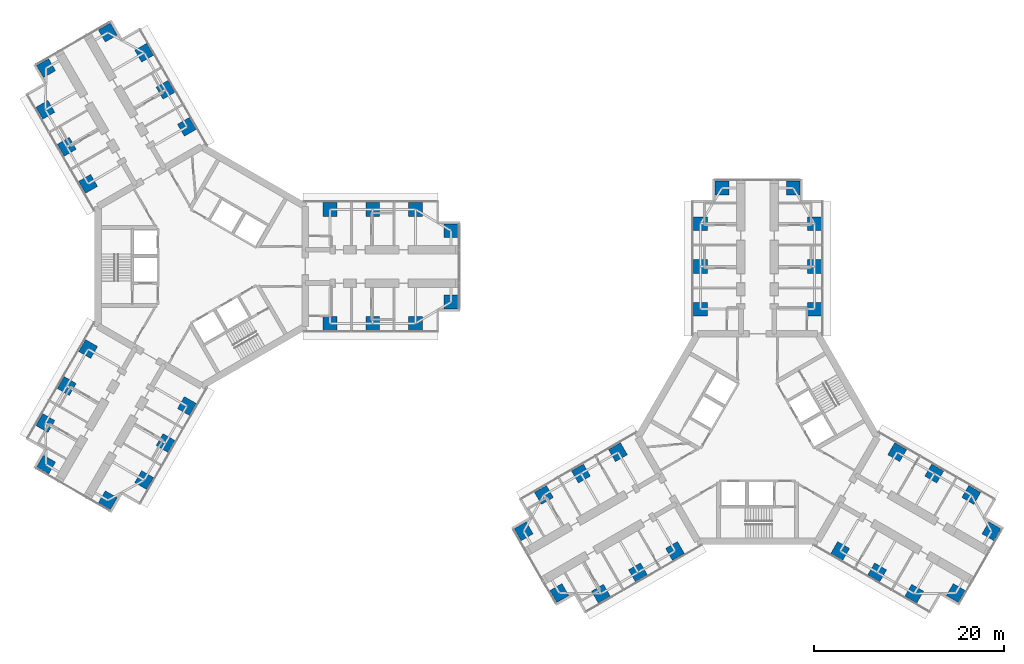
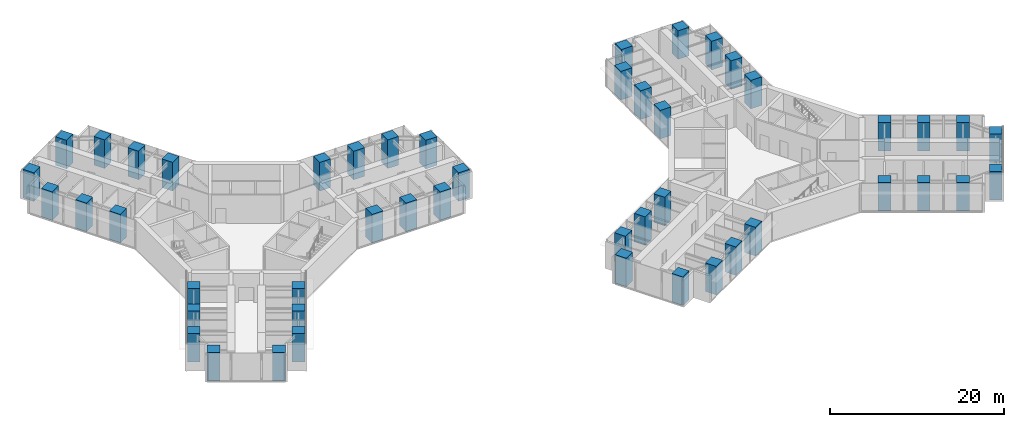
# One storey, part 1 of 24: 48 columns.
"""IFC4 building model written with IfcOpenShell, lengths in metres."""

from ifc_helpers import new_model, si_unit, direction, frame, origin, origin_2d, place, context, subcontext, project, spatial, rectangle, extrude, material, material_profile, profile_set, type_object, element, save


model = new_model("IFC4")

# Units and contexts
model_context = context("Model", 3, precision=1e-05, world=origin(), true_north=direction((0.0, 1.0)))
body_context = subcontext(model_context, "Body", "Model", "MODEL_VIEW")
ifc_project = project(units=[si_unit("LENGTHUNIT", "METRE"), si_unit("AREAUNIT", "SQUARE_METRE"), si_unit("VOLUMEUNIT", "CUBIC_METRE"), si_unit("PLANEANGLEUNIT", "RADIAN"), si_unit("MASSUNIT", "GRAM", prefix="KILO")], contexts=[model_context])

# Site, building, storey
site_placement = place(None, origin())
site = spatial("IfcSite", under=ifc_project, at=site_placement, CompositionType="ELEMENT")
building_placement = place(site_placement, origin())
building = spatial("IfcBuilding", under=site, at=building_placement, Name="Upepo Twin Towers", CompositionType="ELEMENT")
storey_placement = place(building_placement, frame((0.0, 0.0, 64.5)))
storey = spatial("IfcBuildingStorey", under=building, at=storey_placement, Name="L15", CompositionType="ELEMENT", Elevation=64.5)

# Columns
ifc_material = material(Name="Concrete C60/75", Category="concrete")
ifc_material_profile = material_profile(ifc_material, rectangle(XDim=1.449951171875, YDim=1.449951171875, at=origin_2d()), Name="RC 1450x1450")
ifc_profile_set = profile_set([ifc_material_profile], Name="Concrete C60/75")
column_type = type_object("IfcColumnType", Name="Tower column RC 1450x1450", PredefinedType="COLUMN", material=ifc_profile_set)
for number, where, z_axis, x_axis, name in (
    (1, (13.5, 6.0, 0.0), (0.0, 0.0, 1.0), (1.0, 0.0, 0.0), "T1 column AL135"),
    (2, (13.5, -6.0, 0.0), (0.0, 0.0, 1.0), (1.0, 0.0, 0.0), "T1 column AR135"),
    (3, (18.0, 6.0, 0.0), (0.0, 0.0, 1.0), (1.0, 0.0, 0.0), "T1 column AL180"),
    (4, (18.0, -6.0, 0.0), (0.0, 0.0, 1.0), (1.0, 0.0, 0.0), "T1 column AR180"),
    (5, (22.5, 6.0, 0.0), (0.0, 0.0, 1.0), (1.0, 0.0, 0.0), "T1 column AL225"),
    (6, (22.5, -6.0, 0.0), (0.0, 0.0, 1.0), (1.0, 0.0, 0.0), "T1 column AR225"),
    (7, (26.25, 3.75, 0.0), (0.0, 0.0, 1.0), (1.0, 0.0, 0.0), "T1 column ALN"),
    (8, (26.25, -3.75, 0.0), (0.0, 0.0, 1.0), (1.0, 0.0, 0.0), "T1 column ARN"),
    (9, (-11.946044921875, 8.69140625, 0.0), (0.0, 0.0, 1.0), (0.866025403784, 0.5, 0.0), "T1 column BL135"),
    (10, (-1.553955078125, 14.69140625, 0.0), (0.0, 0.0, 1.0), (0.866025403784, 0.5, 0.0), "T1 column BR135"),
    (11, (-14.196044921875, 12.58837890625, 0.0), (0.0, 0.0, 1.0), (0.866025403784, 0.5, 0.0), "T1 column BL180"),
    (12, (-3.803955078125, 18.58837890625, 0.0), (0.0, 0.0, 1.0), (0.866025403784, 0.5, 0.0), "T1 column BR180"),
    (13, (-16.446044921875, 16.485595703125, 0.0), (0.0, 0.0, 1.0), (0.866025403784, 0.5, 0.0), "T1 column BL225"),
    (14, (-6.053955078125, 22.485595703125, 0.0), (0.0, 0.0, 1.0), (0.866025403784, 0.5, 0.0), "T1 column BR225"),
    (15, (-16.37255859375, 20.858154296875, 0.0), (0.0, 0.0, 1.0), (0.866025403784, 0.5, 0.0), "T1 column BLN"),
    (16, (-9.87744140625, 24.608154296875, 0.0), (0.0, 0.0, 1.0), (0.866025403784, 0.5, 0.0), "T1 column BRN"),
    (17, (-1.553955078125, -14.69140625, 0.0), (0.0, 0.0, 1.0), (0.5, 0.866025403784, 0.0), "T1 column CL135"),
    (18, (-11.946044921875, -8.69140625, 0.0), (0.0, 0.0, 1.0), (0.5, 0.866025403784, 0.0), "T1 column CR135"),
    (19, (-3.803955078125, -18.58837890625, 0.0), (0.0, 0.0, 1.0), (0.5, 0.866025403784, 0.0), "T1 column CL180"),
    (20, (-14.196044921875, -12.58837890625, 0.0), (0.0, 0.0, 1.0), (0.5, 0.866025403784, 0.0), "T1 column CR180"),
    (21, (-6.053955078125, -22.485595703125, 0.0), (0.0, 0.0, 1.0), (0.5, 0.866025403784, 0.0), "T1 column CL225"),
    (22, (-16.446044921875, -16.485595703125, 0.0), (0.0, 0.0, 1.0), (0.5, 0.866025403784, 0.0), "T1 column CR225"),
    (23, (-9.87744140625, -24.608154296875, 0.0), (0.0, 0.0, 1.0), (0.5, 0.866025403784, 0.0), "T1 column CLN"),
    (24, (-16.37255859375, -20.858154296875, 0.0), (0.0, 0.0, 1.0), (0.5, 0.866025403784, 0.0), "T1 column CRN"),
    (25, (52.5, -4.5, 0.0), (0.0, 0.0, 1.0), (1.0, 0.0, 0.0), "T2 column AL135"),
    (26, (64.5, -4.5, 0.0), (0.0, 0.0, 1.0), (1.0, 0.0, 0.0), "T2 column AR135"),
    (27, (52.5, 0.0, 0.0), (0.0, 0.0, 1.0), (1.0, 0.0, 0.0), "T2 column AL180"),
    (28, (64.5, 0.0, 0.0), (0.0, 0.0, 1.0), (1.0, 0.0, 0.0), "T2 column AR180"),
    (29, (52.5, 4.5, 0.0), (0.0, 0.0, 1.0), (1.0, 0.0, 0.0), "T2 column AL225"),
    (30, (64.5, 4.5, 0.0), (0.0, 0.0, 1.0), (1.0, 0.0, 0.0), "T2 column AR225"),
    (31, (54.75, 8.25, 0.0), (0.0, 0.0, 1.0), (1.0, 0.0, 0.0), "T2 column ALN"),
    (32, (62.25, 8.25, 0.0), (0.0, 0.0, 1.0), (1.0, 0.0, 0.0), "T2 column ARN"),
    (33, (49.80859375, -29.946044921875, 0.0), (0.0, 0.0, 1.0), (0.866025403784, 0.5, 0.0), "T2 column BL135"),
    (34, (43.80859375, -19.553955078125, 0.0), (0.0, 0.0, 1.0), (0.866025403784, 0.5, 0.0), "T2 column BR135"),
    (35, (45.91162109375, -32.196044921875, 0.0), (0.0, 0.0, 1.0), (0.866025403784, 0.5, 0.0), "T2 column BL180"),
    (36, (39.91162109375, -21.803955078125, 0.0), (0.0, 0.0, 1.0), (0.866025403784, 0.5, 0.0), "T2 column BR180"),
    (37, (42.014404296875, -34.446044921875, 0.0), (0.0, 0.0, 1.0), (0.866025403784, 0.5, 0.0), "T2 column BL225"),
    (38, (36.014404296875, -24.053955078125, 0.0), (0.0, 0.0, 1.0), (0.866025403784, 0.5, 0.0), "T2 column BR225"),
    (39, (37.641845703125, -34.37255859375, 0.0), (0.0, 0.0, 1.0), (0.866025403784, 0.5, 0.0), "T2 column BLN"),
    (40, (33.891845703125, -27.87744140625, 0.0), (0.0, 0.0, 1.0), (0.866025403784, 0.5, 0.0), "T2 column BRN"),
    (41, (73.19140625, -19.553955078125, 0.0), (0.0, 0.0, 1.0), (0.5, 0.866025403784, 0.0), "T2 column CL135"),
    (42, (67.19140625, -29.946044921875, 0.0), (0.0, 0.0, 1.0), (0.5, 0.866025403784, 0.0), "T2 column CR135"),
    (43, (77.08837890625, -21.803955078125, 0.0), (0.0, 0.0, 1.0), (0.5, 0.866025403784, 0.0), "T2 column CL180"),
    (44, (71.08837890625, -32.196044921875, 0.0), (0.0, 0.0, 1.0), (0.5, 0.866025403784, 0.0), "T2 column CR180"),
    (45, (80.985595703125, -24.053955078125, 0.0), (0.0, 0.0, 1.0), (0.5, 0.866025403784, 0.0), "T2 column CL225"),
    (46, (74.985595703125, -34.446044921875, 0.0), (0.0, 0.0, 1.0), (0.5, 0.866025403784, 0.0), "T2 column CR225"),
    (47, (83.108154296875, -27.87744140625, 0.0), (0.0, 0.0, 1.0), (0.5, 0.866025403784, 0.0), "T2 column CLN"),
    (48, (79.358154296875, -34.37255859375, 0.0), (0.0, 0.0, 1.0), (0.5, 0.866025403784, 0.0), "T2 column CRN"),
):
    element("IfcColumn", number, at=place(storey_placement, frame(where, z_axis=z_axis, x_axis=x_axis)), inside=storey, type_object=column_type, Name=name, PredefinedType="COLUMN", context=body_context, shape_type="SweptSolid", body=[
        extrude(rectangle(XDim=1.449951171875, YDim=1.449951171875, at=origin_2d()), origin(), (0.0, 0.0, 1.0), 4.0),
    ])

save(model, "model.ifc")
